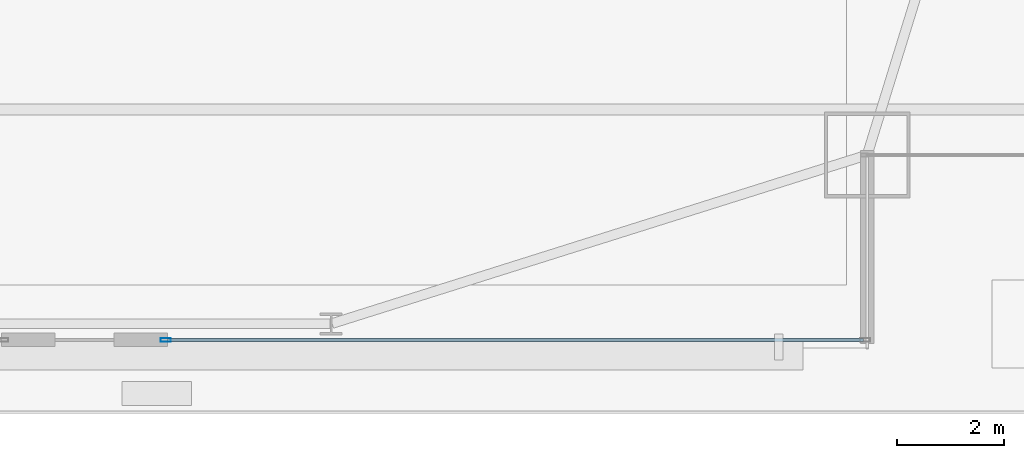
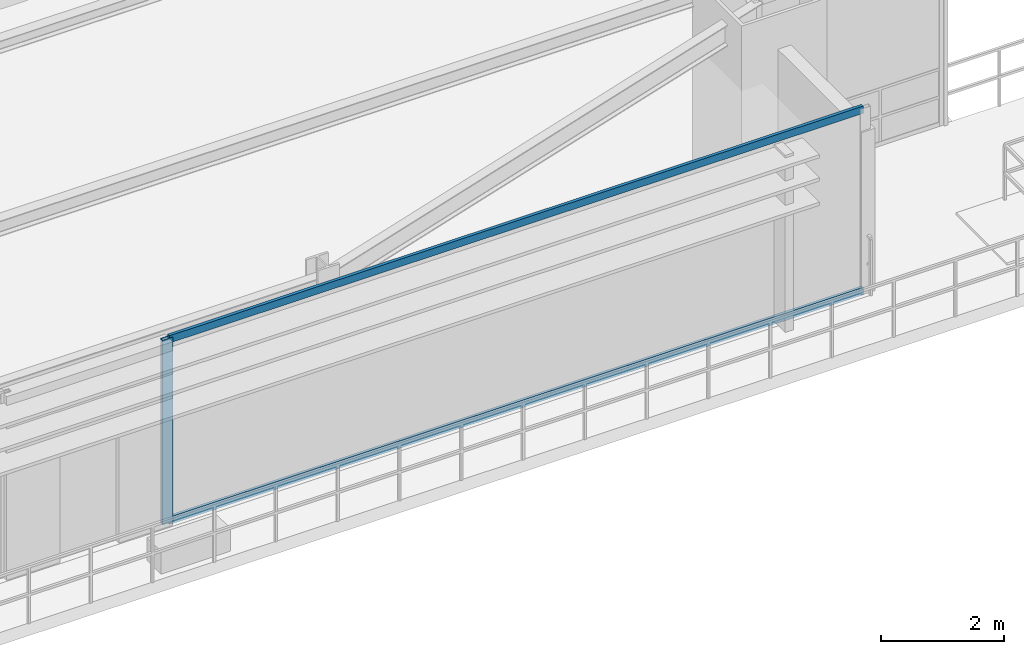
# One storey, part 15 of 34: 3 members, 1 element without a shape of its own.
"""IFC4 building model written with IfcOpenShell, lengths in metres."""

from ifc_helpers import new_model, si_unit, direction, frame, origin, origin_2d, place, context, subcontext, project, spatial, hollow_rectangle, extrude, source, transform, mapped, material, layer, layer_set, material_profile, profile_set, type_object, type_shapes, element, aggregate, save


model = new_model("IFC4")

# Units and contexts
model_context = context("Model", 3, precision=1e-05, world=origin(), true_north=direction((0.0, 1.0)))
body_context = subcontext(model_context, "Body", "Model", "MODEL_VIEW")
ifc_project = project(units=[si_unit("LENGTHUNIT", "METRE"), si_unit("AREAUNIT", "SQUARE_METRE"), si_unit("VOLUMEUNIT", "CUBIC_METRE"), si_unit("PLANEANGLEUNIT", "RADIAN"), si_unit("MASSUNIT", "GRAM", prefix="KILO")], contexts=[model_context])

# Site, building, storey
site_placement = place(None, origin())
site = spatial("IfcSite", under=ifc_project, at=site_placement, CompositionType="ELEMENT")
building_placement = place(site_placement, origin())
building = spatial("IfcBuilding", under=site, at=building_placement, Name="Varnel Quay Broadcast Tower", CompositionType="ELEMENT")
storey_placement = place(building_placement, frame((0.0, 0.0, 27.60009765625)))
storey = spatial("IfcBuildingStorey", under=building, at=storey_placement, Name="L05", CompositionType="ELEMENT", Elevation=27.60009765625)

# Curtain wall, members
ifc_material = material(Name="Anodised Bronze Aluminium 6063-T6", Category="aluminium")
ifc_layer = layer(ifc_material, 0.18994140625, Name="Anodised Bronze Aluminium 6063-T6")
ifc_layer_set = layer_set([ifc_layer], Name="Anodised Bronze Aluminium 6063-T6")
curtain_wall_type = type_object("IfcCurtainWallType", Name="CW_LowerTower", PredefinedType="NOTDEFINED", material=ifc_layer_set)
curtain_wall_placement = place(storey_placement, origin())
curtain_wall = element("IfcCurtainWall", 1, at=curtain_wall_placement, inside=storey, type_object=curtain_wall_type, Name="L05 South Unitised Curtain Wall 3", PredefinedType="NOTDEFINED")
ifc_material_profile_1 = material_profile(ifc_material, hollow_rectangle(XDim=0.070068359375, YDim=0.18994140625, WallThickness=0.00390625, at=origin_2d()), Name="ALU70X190X4")
ifc_profile_set_1 = profile_set([ifc_material_profile_1], Name="Anodised Bronze Aluminium 6063-T6")
member_type_1 = type_object("IfcMemberType", Name="Mull_CWS-02", PredefinedType="MULLION", material=ifc_profile_set_1)
shared_shape_1 = source(origin(), body_context, "Body", "SweptSolid", [
    extrude(hollow_rectangle(XDim=0.070068359375, YDim=0.18994140625, WallThickness=0.00390625, at=origin_2d()), origin(), (0.0, 0.0, 1.0), 3.64990234375),
])
type_shapes(member_type_1, [shared_shape_1])
member_1_placement = place(storey_placement, frame((49.31494140625, 1.35009765625, 0.0), z_axis=(0.0, 0.0, 1.0), x_axis=(0.0, 1.0, 0.0)))
member_1 = element("IfcMember", 2, at=member_1_placement, type_object=member_type_1, Name="CWS-02 mullion 1", PredefinedType="MULLION", context=body_context, shape_type="MappedRepresentation", body=[
    mapped(shared_shape_1, transform((0.0, 0.0, 0.0), x_axis=(1.0, 0.0, 0.0), y_axis=(0.0, 1.0, 0.0), z_axis=(0.0, 0.0, 1.0), scale=1.0)),
])
ifc_material_profile_2 = material_profile(ifc_material, hollow_rectangle(XDim=0.06005859375, YDim=0.14501953125, WallThickness=0.00341796875, at=origin_2d()), Name="ALU60X145X3.5")
ifc_profile_set_2 = profile_set([ifc_material_profile_2], Name="Anodised Bronze Aluminium 6063-T6")
member_type_2 = type_object("IfcMemberType", Name="Tran_CWS-02", PredefinedType="USERDEFINED", material=ifc_profile_set_2)
shared_shape_2 = source(origin(), body_context, "Body", "SweptSolid", [
    extrude(hollow_rectangle(XDim=0.06005859375, YDim=0.14501953125, WallThickness=0.00341796875, at=origin_2d()), origin(), (0.0, 0.0, 1.0), 12.97998046875),
])
type_shapes(member_type_2, [shared_shape_2])
member_2_placement = place(storey_placement, frame((49.35009765625, 1.35009765625, 0.02978515625), z_axis=(1.0, 0.0, 0.0), x_axis=(0.0, 1.0, 0.0)))
member_2 = element("IfcMember", 3, at=member_2_placement, type_object=member_type_2, Name="CWS-02 transom 1.1", ObjectType="TRANSOM", PredefinedType="USERDEFINED", context=body_context, shape_type="MappedRepresentation", body=[
    mapped(shared_shape_2, transform((0.0, 0.0, 0.0), x_axis=(1.0, 0.0, 0.0), y_axis=(0.0, 1.0, 0.0), z_axis=(0.0, 0.0, 1.0), scale=1.0)),
])
member_3_placement = place(storey_placement, frame((49.35009765625, 1.35009765625, 3.619873046875), z_axis=(1.0, 0.0, 0.0), x_axis=(0.0, 1.0, 0.0)))
member_3 = element("IfcMember", 4, at=member_3_placement, type_object=member_type_2, Name="CWS-02 transom 1.2", ObjectType="TRANSOM", PredefinedType="USERDEFINED", context=body_context, shape_type="MappedRepresentation", body=[
    mapped(shared_shape_2, transform((0.0, 0.0, 0.0), x_axis=(1.0, 0.0, 0.0), y_axis=(0.0, 1.0, 0.0), z_axis=(0.0, 0.0, 1.0), scale=1.0)),
])
aggregate(curtain_wall, [member_1, member_2, member_3])

save(model, "model.ifc")
